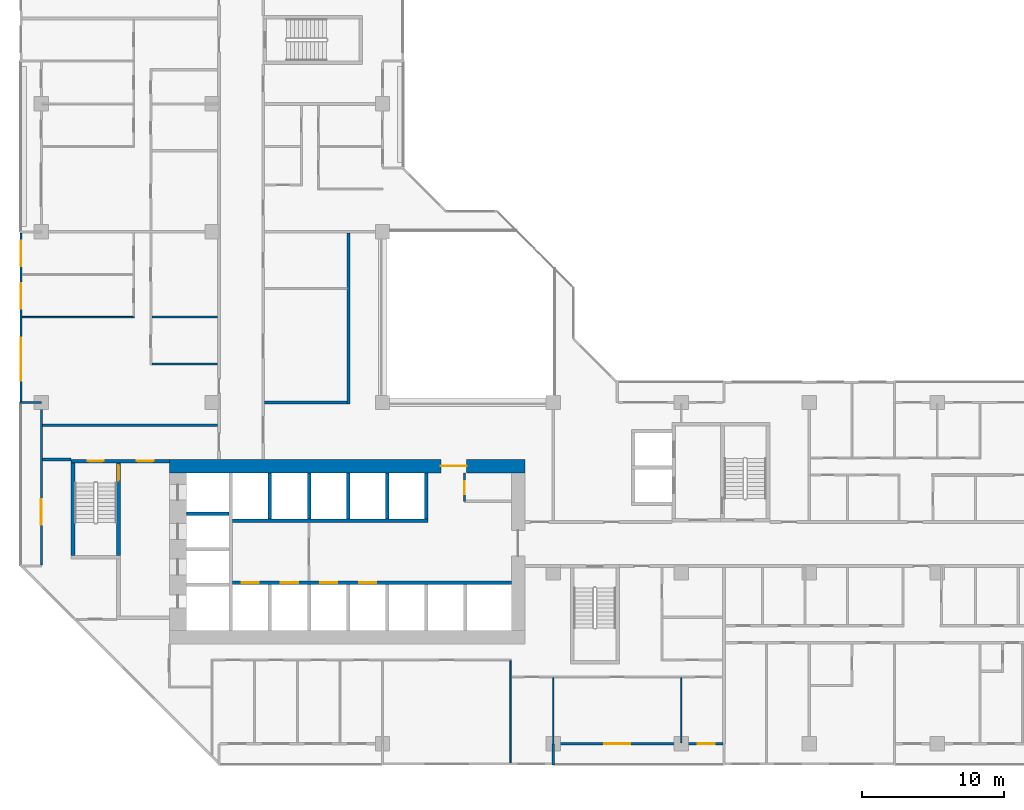
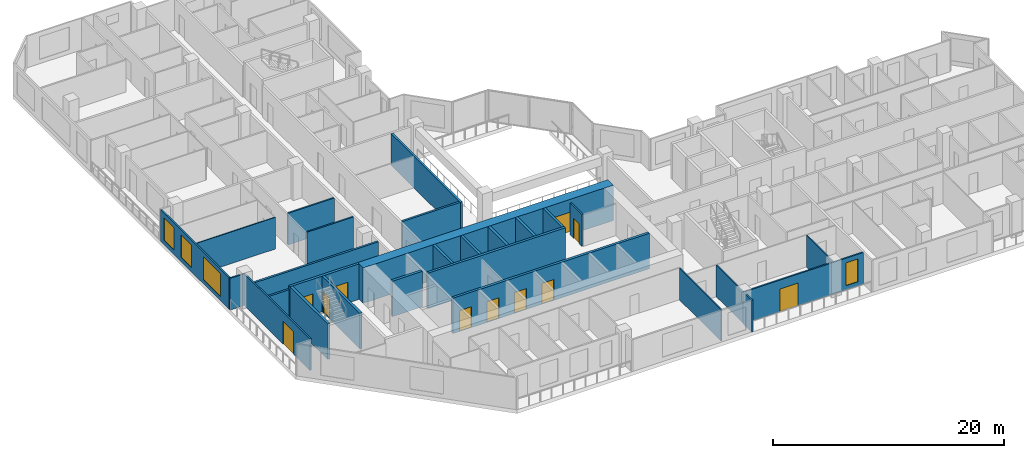
# One storey, part 5 of 15: 28 walls, 11 doors, 4 windows, 15 openings.
"""IFC4 building model written with IfcOpenShell, lengths in metres."""

from ifc_helpers import new_model, si_unit, direction, frame, frame_2d, origin, place, context, subcontext, project, spatial, rectangle, extrude, material, layer, layer_set, type_object, element, fill, save


model = new_model("IFC4")

# Units and contexts
model_context = context("Model", 3, precision=1e-05, world=origin(), true_north=direction((0.0, 1.0)))
body_context = subcontext(model_context, "Body", "Model", "MODEL_VIEW")
ifc_project = project(units=[si_unit("LENGTHUNIT", "METRE"), si_unit("AREAUNIT", "SQUARE_METRE"), si_unit("VOLUMEUNIT", "CUBIC_METRE"), si_unit("PLANEANGLEUNIT", "RADIAN"), si_unit("MASSUNIT", "GRAM", prefix="KILO")], contexts=[model_context])

# Site, building, storey
site_placement = place(None, origin())
site = spatial("IfcSite", under=ifc_project, at=site_placement, CompositionType="ELEMENT")
building_placement = place(site_placement, origin())
building = spatial("IfcBuilding", under=site, at=building_placement, Name="Chenar Terraces", CompositionType="ELEMENT")
storey_placement = place(building_placement, frame((0.0, 0.0, 118.14990234375)))
storey = spatial("IfcBuildingStorey", under=building, at=storey_placement, Name="L27", CompositionType="ELEMENT", Elevation=118.14990234375)

# Wall, opening, door
ifc_material_1 = material(Name="Gypsum board on steel studs", Category="steel")
ifc_layer_1 = layer(ifc_material_1, 0.14990234375)
ifc_layer_set_1 = layer_set([ifc_layer_1], Name="Gypsum board on steel studs")
wall_type_1 = type_object("IfcWallType", Name="Core partition 150 gypsum board", PredefinedType="PARTITIONING", material=ifc_layer_set_1)
wall_1_placement = place(storey_placement, frame((29.75, 17.050048828125, 0.0), z_axis=(0.0, 0.0, 1.0), x_axis=(0.0, 1.0, 0.0)))
wall_1 = element("IfcWall", 1, at=wall_1_placement, inside=storey, type_object=wall_type_1, Name="Core partition CP1 vestibule room west wall", PredefinedType="PARTITIONING", context=body_context, shape_type="SweptSolid", body=[
    extrude(rectangle(XDim=2.0, YDim=0.14990234375, at=frame_2d((1.0, 0.0))), origin(), (0.0, 0.0, 1.0), 3.35009765625),
])
opening_1_placement = place(wall_1_placement, frame((0.5, 0.0, 0.0)))
opening_1 = element("IfcOpeningElement", 2, at=opening_1_placement, cuts=wall_1, Name="Opening DL27-C13", PredefinedType="OPENING", context=body_context, shape_type="SweptSolid", body=[
    extrude(rectangle(XDim=0.89990234375, YDim=2.10009765625, at=frame_2d((0.449951171875, 1.050048828125))), frame((0.0, 0.0849609375, 0.0), z_axis=(0.0, -1.0, 0.0), x_axis=(1.0, 0.0, 0.0)), (0.0, 0.0, 1.0), 0.169921875),
])
ifc_material_2 = material(Name="Steel-framed fire-resisting door leaf", Category="steel")
door_type_1 = type_object("IfcDoorType", Name="Riser fire door FD60 900 x 2100", OperationType="SINGLE_SWING_LEFT", PredefinedType="DOOR", material=ifc_material_2)
door_1_placement = place(opening_1_placement, frame((0.89990234375, 0.0, 0.0), z_axis=(0.0, 0.0, 1.0), x_axis=(-1.0, 0.0, 0.0)))
door_1 = element("IfcDoor", 3, at=door_1_placement, inside=storey, type_object=door_type_1, Name="Core room door DL27-C13", OperationType="SINGLE_SWING_RIGHT", OverallHeight=2.10009765625, OverallWidth=0.89990234375, PredefinedType="DOOR", context=body_context, shape_type="SweptSolid", body=[
    extrude(rectangle(XDim=0.89990234375, YDim=2.10009765625, at=frame_2d((0.449951171875, 1.050048828125))), frame((0.0, 0.02490234375, 0.0), z_axis=(0.0, -1.0, 0.0), x_axis=(1.0, 0.0, 0.0)), (0.0, 0.0, 1.0), 0.050048828125),
])
fill(opening_1, door_1)

# Wall, openings, doors
ifc_material_3 = material(Name="Concrete C70/85", Category="concrete")
ifc_layer_2 = layer(ifc_material_3, 0.25)
ifc_layer_set_2 = layer_set([ifc_layer_2], Name="Concrete C70/85")
wall_type_2 = type_object("IfcWallType", Name="Core wall 250 Concrete C70/85", PredefinedType="SHEAR", material=ifc_layer_set_2)
wall_2_placement = place(storey_placement, frame((13.449951171875, 11.324951171875, 0.0), z_axis=(0.0, 0.0, 1.0), x_axis=(1.0, 0.0, 0.0)))
wall_2 = element("IfcWall", 4, at=wall_2_placement, inside=storey, type_object=wall_type_2, Name="Core wall SF L27", PredefinedType="SHEAR", context=body_context, shape_type="SweptSolid", body=[
    extrude(rectangle(XDim=19.60009765625, YDim=0.25, at=frame_2d((9.800048828125, 0.0))), origin(), (0.0, 0.0, 1.0), 3.75),
])
opening_2_placement = place(wall_2_placement, frame((0.64990234375, 0.0, 0.0)))
opening_2 = element("IfcOpeningElement", 5, at=opening_2_placement, cuts=wall_2, Name="Opening DL27-LD1", PredefinedType="OPENING", context=body_context, shape_type="SweptSolid", body=[
    extrude(rectangle(XDim=1.199951171875, YDim=2.199951171875, at=frame_2d((0.60009765625, 1.10009765625))), frame((0.0, 0.135009765625, 0.0), z_axis=(0.0, -1.0, 0.0), x_axis=(1.0, 0.0, 0.0)), (0.0, 0.0, 1.0), 0.27001953125),
])
opening_3_placement = place(wall_2_placement, frame((3.39990234375, 0.0, 0.0)))
opening_3 = element("IfcOpeningElement", 6, at=opening_3_placement, cuts=wall_2, Name="Opening DL27-LD2", PredefinedType="OPENING", context=body_context, shape_type="SweptSolid", body=[
    extrude(rectangle(XDim=1.199951171875, YDim=2.199951171875, at=frame_2d((0.60009765625, 1.10009765625))), frame((0.0, 0.135009765625, 0.0), z_axis=(0.0, -1.0, 0.0), x_axis=(1.0, 0.0, 0.0)), (0.0, 0.0, 1.0), 0.27001953125),
])
opening_4_placement = place(wall_2_placement, frame((6.14990234375, 0.0, 0.0)))
opening_4 = element("IfcOpeningElement", 7, at=opening_4_placement, cuts=wall_2, Name="Opening DL27-LD3", PredefinedType="OPENING", context=body_context, shape_type="SweptSolid", body=[
    extrude(rectangle(XDim=1.199951171875, YDim=2.199951171875, at=frame_2d((0.60009765625, 1.10009765625))), frame((0.0, 0.135009765625, 0.0), z_axis=(0.0, -1.0, 0.0), x_axis=(1.0, 0.0, 0.0)), (0.0, 0.0, 1.0), 0.27001953125),
])
opening_5_placement = place(wall_2_placement, frame((8.89990234375, 0.0, 0.0)))
opening_5 = element("IfcOpeningElement", 8, at=opening_5_placement, cuts=wall_2, Name="Opening DL27-LD4", PredefinedType="OPENING", context=body_context, shape_type="SweptSolid", body=[
    extrude(rectangle(XDim=1.199951171875, YDim=2.199951171875, at=frame_2d((0.60009765625, 1.10009765625))), frame((0.0, 0.135009765625, 0.0), z_axis=(0.0, -1.0, 0.0), x_axis=(1.0, 0.0, 0.0)), (0.0, 0.0, 1.0), 0.27001953125),
])
ifc_material_4 = material(Name="Stainless steel", Category="steel")
door_type_2 = type_object("IfcDoorType", Name="Lift landing door 1200 x 2200 sliding", OperationType="DOUBLE_DOOR_SLIDING", PredefinedType="DOOR", material=ifc_material_4)
door_2_placement = place(opening_2_placement, origin())
door_2 = element("IfcDoor", 9, at=door_2_placement, inside=storey, type_object=door_type_2, Name="Landing door L1", OperationType="DOUBLE_DOOR_SLIDING", OverallHeight=2.199951171875, OverallWidth=1.199951171875, PredefinedType="DOOR", context=body_context, shape_type="SweptSolid", body=[
    extrude(rectangle(XDim=1.199951171875, YDim=2.199951171875, at=frame_2d((0.60009765625, 1.10009765625))), frame((0.0, 0.02490234375, 0.0), z_axis=(0.0, -1.0, 0.0), x_axis=(1.0, 0.0, 0.0)), (0.0, 0.0, 1.0), 0.050048828125),
])
fill(opening_2, door_2)
door_3_placement = place(opening_3_placement, origin())
door_3 = element("IfcDoor", 10, at=door_3_placement, inside=storey, type_object=door_type_2, Name="Landing door L2", OperationType="DOUBLE_DOOR_SLIDING", OverallHeight=2.199951171875, OverallWidth=1.199951171875, PredefinedType="DOOR", context=body_context, shape_type="SweptSolid", body=[
    extrude(rectangle(XDim=1.199951171875, YDim=2.199951171875, at=frame_2d((0.60009765625, 1.10009765625))), frame((0.0, 0.02490234375, 0.0), z_axis=(0.0, -1.0, 0.0), x_axis=(1.0, 0.0, 0.0)), (0.0, 0.0, 1.0), 0.050048828125),
])
fill(opening_3, door_3)
door_4_placement = place(opening_4_placement, origin())
door_4 = element("IfcDoor", 11, at=door_4_placement, inside=storey, type_object=door_type_2, Name="Landing door L3", OperationType="DOUBLE_DOOR_SLIDING", OverallHeight=2.199951171875, OverallWidth=1.199951171875, PredefinedType="DOOR", context=body_context, shape_type="SweptSolid", body=[
    extrude(rectangle(XDim=1.199951171875, YDim=2.199951171875, at=frame_2d((0.60009765625, 1.10009765625))), frame((0.0, 0.02490234375, 0.0), z_axis=(0.0, -1.0, 0.0), x_axis=(1.0, 0.0, 0.0)), (0.0, 0.0, 1.0), 0.050048828125),
])
fill(opening_4, door_4)
door_5_placement = place(opening_5_placement, origin())
door_5 = element("IfcDoor", 12, at=door_5_placement, inside=storey, type_object=door_type_2, Name="Landing door L4", OperationType="DOUBLE_DOOR_SLIDING", OverallHeight=2.199951171875, OverallWidth=1.199951171875, PredefinedType="DOOR", context=body_context, shape_type="SweptSolid", body=[
    extrude(rectangle(XDim=1.199951171875, YDim=2.199951171875, at=frame_2d((0.60009765625, 1.10009765625))), frame((0.0, 0.02490234375, 0.0), z_axis=(0.0, -1.0, 0.0), x_axis=(1.0, 0.0, 0.0)), (0.0, 0.0, 1.0), 0.050048828125),
])
fill(opening_5, door_5)

# Walls
wall_3_placement = place(storey_placement, frame((13.449951171875, 15.675048828125, 0.0), z_axis=(0.0, 0.0, 1.0), x_axis=(1.0, 0.0, 0.0)))
element("IfcWall", 13, at=wall_3_placement, inside=storey, type_object=wall_type_2, Name="Core wall NF L27", PredefinedType="SHEAR", context=body_context, shape_type="SweptSolid", body=[
    extrude(rectangle(XDim=13.75, YDim=0.25, at=frame_2d((6.875, 0.0))), origin(), (0.0, 0.0, 1.0), 3.75),
])
wall_4_placement = place(storey_placement, frame((10.199951171875, 16.175048828125, 0.0), z_axis=(0.0, 0.0, 1.0), x_axis=(1.0, 0.0, 0.0)))
element("IfcWall", 14, at=wall_4_placement, inside=storey, type_object=wall_type_2, Name="Core wall HW2 L27", PredefinedType="SHEAR", context=body_context, shape_type="SweptSolid", body=[
    extrude(rectangle(XDim=3.0, YDim=0.25, at=frame_2d((1.5, 0.0))), origin(), (0.0, 0.0, 1.0), 3.75),
])
for number, where, z_axis, x_axis, name in (
    (15, (16.074951171875, 15.800048828125, 0.0), (0.0, 0.0, 1.0), (0.0, 1.0, 0.0), "Core wall NS0 L27"),
    (16, (18.824951171875, 15.800048828125, 0.0), (0.0, 0.0, 1.0), (0.0, 1.0, 0.0), "Core wall NS1 L27"),
    (17, (21.574951171875, 15.800048828125, 0.0), (0.0, 0.0, 1.0), (0.0, 1.0, 0.0), "Core wall NS2 L27"),
    (18, (24.324951171875, 15.800048828125, 0.0), (0.0, 0.0, 1.0), (0.0, 1.0, 0.0), "Core wall NS3 L27"),
    (19, (27.074951171875, 15.800048828125, 0.0), (0.0, 0.0, 1.0), (0.0, 1.0, 0.0), "Core wall NE L27"),
):
    element("IfcWall", number, at=place(storey_placement, frame(where, z_axis=z_axis, x_axis=x_axis)), inside=storey, type_object=wall_type_2, Name=name, PredefinedType="SHEAR", context=body_context, shape_type="SweptSolid", body=[
        extrude(rectangle(XDim=3.25, YDim=0.25, at=frame_2d((1.625, 0.0))), origin(), (0.0, 0.0, 1.0), 3.75),
    ])

# Wall, openings, doors
wall_5_placement = place(storey_placement, frame((2.10009765625, 19.875, 0.0), z_axis=(0.0, 0.0, 1.0), x_axis=(1.0, 0.0, 0.0)))
wall_5 = element("IfcWall", 20, at=wall_5_placement, inside=storey, type_object=wall_type_2, Name="Core wall A_N L27", PredefinedType="SHEAR", context=body_context, shape_type="SweptSolid", body=[
    extrude(rectangle(XDim=6.89990234375, YDim=0.25, at=frame_2d((3.449951171875, 0.0))), origin(), (0.0, 0.0, 1.0), 3.75),
])
opening_6_placement = place(wall_5_placement, frame((1.175048828125, 0.0, 0.0)))
opening_6 = element("IfcOpeningElement", 21, at=opening_6_placement, cuts=wall_5, Name="Opening DL27-C5", PredefinedType="OPENING", context=body_context, shape_type="SweptSolid", body=[
    extrude(rectangle(XDim=1.10009765625, YDim=2.199951171875, at=frame_2d((0.550048828125, 1.10009765625))), frame((0.0, 0.135009765625, 0.0), z_axis=(0.0, -1.0, 0.0), x_axis=(1.0, 0.0, 0.0)), (0.0, 0.0, 1.0), 0.27001953125),
])
opening_7_placement = place(wall_5_placement, frame((4.60009765625, 0.0, 0.0)))
opening_7 = element("IfcOpeningElement", 22, at=opening_7_placement, cuts=wall_5, Name="Opening DL27-C6", PredefinedType="OPENING", context=body_context, shape_type="SweptSolid", body=[
    extrude(rectangle(XDim=1.199951171875, YDim=2.199951171875, at=frame_2d((0.60009765625, 1.10009765625))), frame((0.0, 0.135009765625, 0.0), z_axis=(0.0, -1.0, 0.0), x_axis=(1.0, 0.0, 0.0)), (0.0, 0.0, 1.0), 0.27001953125),
])
ifc_material_5 = material(Name="Steel-framed fire-resisting door leaf", Category="steel")
door_type_3 = type_object("IfcDoorType", Name="Lobby fire door FD60 1200 x 2200", OperationType="SINGLE_SWING_LEFT", PredefinedType="DOOR", material=ifc_material_5)
door_6_placement = place(opening_7_placement, frame((1.199951171875, 0.0, 0.0), z_axis=(0.0, 0.0, 1.0), x_axis=(-1.0, 0.0, 0.0)))
door_6 = element("IfcDoor", 23, at=door_6_placement, inside=storey, type_object=door_type_3, Name="Core door DL27-C6", OperationType="SINGLE_SWING_LEFT", OverallHeight=2.199951171875, OverallWidth=1.199951171875, PredefinedType="DOOR", context=body_context, shape_type="SweptSolid", body=[
    extrude(rectangle(XDim=1.199951171875, YDim=2.199951171875, at=frame_2d((0.60009765625, 1.10009765625))), frame((0.0, 0.02490234375, 0.0), z_axis=(0.0, -1.0, 0.0), x_axis=(1.0, 0.0, 0.0)), (0.0, 0.0, 1.0), 0.050048828125),
])
fill(opening_7, door_6)
ifc_material_6 = material(Name="Steel-framed fire-resisting door leaf", Category="steel")
door_type_4 = type_object("IfcDoorType", Name="Stair fire door FD60 1100 x 2200", OperationType="SINGLE_SWING_LEFT", PredefinedType="DOOR", material=ifc_material_6)
door_7_placement = place(opening_6_placement, origin())
door_7 = element("IfcDoor", 24, at=door_7_placement, inside=storey, type_object=door_type_4, Name="Stair door DL27-C5", OperationType="SINGLE_SWING_LEFT", OverallHeight=2.199951171875, OverallWidth=1.10009765625, PredefinedType="DOOR", context=body_context, shape_type="SweptSolid", body=[
    extrude(rectangle(XDim=1.10009765625, YDim=2.199951171875, at=frame_2d((0.550048828125, 1.10009765625))), frame((0.0, 0.02490234375, 0.0), z_axis=(0.0, -1.0, 0.0), x_axis=(1.0, 0.0, 0.0)), (0.0, 0.0, 1.0), 0.050048828125),
])
fill(opening_6, door_7)

# Wall
wall_6_placement = place(storey_placement, frame((2.22509765625, 13.25, 0.0), z_axis=(0.0, 0.0, 1.0), x_axis=(0.0, 1.0, 0.0)))
element("IfcWall", 25, at=wall_6_placement, inside=storey, type_object=wall_type_2, Name="Core wall ST1_W L27", PredefinedType="SHEAR", context=body_context, shape_type="SweptSolid", body=[
    extrude(rectangle(XDim=6.5, YDim=0.25, at=frame_2d((3.25, 0.0))), origin(), (0.0, 0.0, 1.0), 3.75),
])

# Wall, opening, door
wall_7_placement = place(storey_placement, frame((5.425048828125, 13.25, 0.0), z_axis=(0.0, 0.0, 1.0), x_axis=(0.0, 1.0, 0.0)))
wall_7 = element("IfcWall", 26, at=wall_7_placement, inside=storey, type_object=wall_type_2, Name="Core wall ST1_E L27", PredefinedType="SHEAR", context=body_context, shape_type="SweptSolid", body=[
    extrude(rectangle(XDim=6.5, YDim=0.25, at=frame_2d((3.25, 0.0))), origin(), (0.0, 0.0, 1.0), 3.75),
])
opening_8_placement = place(wall_7_placement, frame((5.25, 0.0, 0.0)))
opening_8 = element("IfcOpeningElement", 27, at=opening_8_placement, cuts=wall_7, Name="Opening DL27-C3", PredefinedType="OPENING", context=body_context, shape_type="SweptSolid", body=[
    extrude(rectangle(XDim=1.10009765625, YDim=2.199951171875, at=frame_2d((0.550048828125, 1.10009765625))), frame((0.0, 0.135009765625, 0.0), z_axis=(0.0, -1.0, 0.0), x_axis=(1.0, 0.0, 0.0)), (0.0, 0.0, 1.0), 0.27001953125),
])
door_8_placement = place(opening_8_placement, origin())
door_8 = element("IfcDoor", 28, at=door_8_placement, inside=storey, type_object=door_type_4, Name="Stair door DL27-C3", OperationType="SINGLE_SWING_RIGHT", OverallHeight=2.199951171875, OverallWidth=1.10009765625, PredefinedType="DOOR", context=body_context, shape_type="SweptSolid", body=[
    extrude(rectangle(XDim=1.10009765625, YDim=2.199951171875, at=frame_2d((0.550048828125, 1.10009765625))), frame((0.0, 0.02490234375, 0.0), z_axis=(0.0, -1.0, 0.0), x_axis=(1.0, 0.0, 0.0)), (0.0, 0.0, 1.0), 0.050048828125),
])
fill(opening_8, door_8)

ifc_material_7 = material(Name="Concrete C70/85", Category="concrete")
ifc_layer_3 = layer(ifc_material_7, 0.949951171875)
ifc_layer_set_3 = layer_set([ifc_layer_3], Name="Concrete C70/85")
wall_type_3 = type_object("IfcWallType", Name="Core wall 950 Concrete C70/85", PredefinedType="SHEAR", material=ifc_layer_set_3)
wall_8_placement = place(storey_placement, frame((9.0, 19.52490234375, 0.0), z_axis=(0.0, 0.0, 1.0), x_axis=(1.0, 0.0, 0.0)))
wall_8 = element("IfcWall", 29, at=wall_8_placement, inside=storey, type_object=wall_type_3, Name="Core wall N L27", PredefinedType="SHEAR", context=body_context, shape_type="SweptSolid", body=[
    extrude(rectangle(XDim=25.0, YDim=0.949951171875, at=frame_2d((12.5, 0.0))), origin(), (0.0, 0.0, 1.0), 3.75),
])
opening_9_placement = place(wall_8_placement, frame((19.10009765625, 0.0, 0.0)))
opening_9 = element("IfcOpeningElement", 30, at=opening_9_placement, cuts=wall_8, Name="Opening DL27-C2", PredefinedType="OPENING", context=body_context, shape_type="SweptSolid", body=[
    extrude(rectangle(XDim=1.800048828125, YDim=2.39990234375, at=frame_2d((0.89990234375, 1.199951171875))), frame((0.0, 0.48486328125, 0.0), z_axis=(0.0, -1.0, 0.0), x_axis=(1.0, 0.0, 0.0)), (0.0, 0.0, 1.0), 0.969970703125),
])
ifc_material_8 = material(Name="Steel-framed fire-resisting door leaf", Category="steel")
door_type_5 = type_object("IfcDoorType", Name="Core entrance double fire door FD60 1800 x 2400", OperationType="DOUBLE_DOOR_SINGLE_SWING", PredefinedType="DOOR", material=ifc_material_8)
door_9_placement = place(opening_9_placement, origin())
door_9 = element("IfcDoor", 31, at=door_9_placement, inside=storey, type_object=door_type_5, Name="Core door DL27-C2", OperationType="DOUBLE_DOOR_SINGLE_SWING", OverallHeight=2.39990234375, OverallWidth=1.800048828125, PredefinedType="DOOR", context=body_context, shape_type="SweptSolid", body=[
    extrude(rectangle(XDim=1.800048828125, YDim=2.39990234375, at=frame_2d((0.89990234375, 1.199951171875))), frame((0.0, 0.02490234375, 0.0), z_axis=(0.0, -1.0, 0.0), x_axis=(1.0, 0.0, 0.0)), (0.0, 0.0, 1.0), 0.050048828125),
])
fill(opening_9, door_9)

# Walls
ifc_material_9 = material(Name="Gypsum board on steel studs with fire boards", Category="steel")
ifc_layer_4 = layer(ifc_material_9, 0.199951171875)
ifc_layer_set_4 = layer_set([ifc_layer_4], Name="Gypsum board on steel studs with fire boards")
wall_type_4 = type_object("IfcWallType", Name="Corridor wall 200", PredefinedType="PARTITIONING", material=ifc_layer_set_4)
wall_9_placement = place(storey_placement, frame((0.073974609375, 20.0, 0.0), z_axis=(0.0, 0.0, 1.0), x_axis=(1.0, 0.0, 0.0)))
element("IfcWall", 32, at=wall_9_placement, inside=storey, type_object=wall_type_4, Name="Partition L27-007", PredefinedType="PARTITIONING", context=body_context, shape_type="SweptSolid", body=[
    extrude(rectangle(XDim=2.026123046875, YDim=0.199951171875, at=frame_2d((1.01318359375, 0.0))), origin(), (0.0, 0.0, 1.0), 3.35009765625),
])
wall_10_placement = place(storey_placement, frame((0.073974609375, 22.39990234375, 0.0), z_axis=(0.0, 0.0, 1.0), x_axis=(1.0, 0.0, 0.0)))
element("IfcWall", 33, at=wall_10_placement, inside=storey, type_object=wall_type_4, Name="Partition L27-008", PredefinedType="PARTITIONING", context=body_context, shape_type="SweptSolid", body=[
    extrude(rectangle(XDim=12.325927734375, YDim=0.199951171875, at=frame_2d((6.1630859375, 0.0))), origin(), (0.0, 0.0, 1.0), 3.35009765625),
])
wall_11_placement = place(storey_placement, frame((15.699951171875, 24.0, 0.0), z_axis=(0.0, 0.0, 1.0), x_axis=(1.0, 0.0, 0.0)))
element("IfcWall", 34, at=wall_11_placement, inside=storey, type_object=wall_type_4, Name="Partition L27-036", PredefinedType="PARTITIONING", context=body_context, shape_type="SweptSolid", body=[
    extrude(rectangle(XDim=5.800048828125, YDim=0.199951171875, at=frame_2d((2.89990234375, 0.0))), origin(), (0.0, 0.0, 1.0), 3.35009765625),
])
wall_12_placement = place(storey_placement, frame((21.60009765625, 23.89990234375, 0.0), z_axis=(0.0, 0.0, 1.0), x_axis=(0.0, 1.0, 0.0)))
element("IfcWall", 35, at=wall_12_placement, inside=storey, type_object=wall_type_4, Name="Partition L27-056", PredefinedType="PARTITIONING", context=body_context, shape_type="SweptSolid", body=[
    extrude(rectangle(XDim=12.0, YDim=0.199951171875, at=frame_2d((6.0, 0.0))), origin(), (0.0, 0.0, 1.0), 3.35009765625),
])

# Wall, openings, windows
ifc_material_10 = material(Name="Aluminium framed glazing", Category="aluminium")
ifc_layer_5 = layer(ifc_material_10, 0.14990234375)
ifc_layer_set_5 = layer_set([ifc_layer_5], Name="Aluminium framed glazing")
wall_type_5 = type_object("IfcWallType", Name="Glazed flush facade wall 150", PredefinedType="SOLIDWALL", material=ifc_layer_set_5)
wall_13_placement = place(storey_placement, frame((-1.425048828125, 35.925048828125, 0.0), z_axis=(0.0, 0.0, 1.0), x_axis=(0.0, -1.0, 0.0)))
wall_13 = element("IfcWall", 36, at=wall_13_placement, inside=storey, type_object=wall_type_5, Name="Glazed flush facade wall", PredefinedType="SOLIDWALL", context=body_context, shape_type="SweptSolid", body=[
    extrude(rectangle(XDim=11.85009765625, YDim=0.14990234375, at=frame_2d((5.925048828125, 0.0))), origin(), (0.0, 0.0, 1.0), 3.35009765625),
])
opening_10_placement = place(wall_13_placement, frame((0.5625, 0.0, 0.449951171875)))
opening_10 = element("IfcOpeningElement", 37, at=opening_10_placement, cuts=wall_13, Name="Opening W180x240", PredefinedType="OPENING", context=body_context, shape_type="SweptSolid", body=[
    extrude(rectangle(XDim=1.800048828125, YDim=2.39990234375, at=frame_2d((0.89990234375, 1.199951171875))), frame((0.0, 0.0849609375, 0.0), z_axis=(0.0, -1.0, 0.0), x_axis=(1.0, 0.0, 0.0)), (0.0, 0.0, 1.0), 0.169921875),
])
opening_11_placement = place(wall_13_placement, frame((3.52490234375, 0.0, 0.449951171875)))
opening_11 = element("IfcOpeningElement", 38, at=opening_11_placement, cuts=wall_13, Name="Opening W180x240", PredefinedType="OPENING", context=body_context, shape_type="SweptSolid", body=[
    extrude(rectangle(XDim=1.800048828125, YDim=2.39990234375, at=frame_2d((0.89990234375, 1.199951171875))), frame((0.0, 0.0849609375, 0.0), z_axis=(0.0, -1.0, 0.0), x_axis=(1.0, 0.0, 0.0)), (0.0, 0.0, 1.0), 0.169921875),
])
opening_12_placement = place(wall_13_placement, frame((7.387451171875, 0.0, 0.449951171875)))
opening_12 = element("IfcOpeningElement", 39, at=opening_12_placement, cuts=wall_13, Name="Opening W300x240", PredefinedType="OPENING", context=body_context, shape_type="SweptSolid", body=[
    extrude(rectangle(XDim=3.0, YDim=2.39990234375, at=frame_2d((1.5, 1.199951171875))), frame((0.0, 0.0849609375, 0.0), z_axis=(0.0, -1.0, 0.0), x_axis=(1.0, 0.0, 0.0)), (0.0, 0.0, 1.0), 0.169921875),
])
ifc_material_11 = material(Name="Low emissivity double glazing, aluminium frame", Category="aluminium")
window_type_1 = type_object("IfcWindowType", Name="Fixed light 1800 x 2400", PartitioningType="SINGLE_PANEL", PredefinedType="WINDOW", material=ifc_material_11)
window_1_placement = place(opening_10_placement, origin())
window_1 = element("IfcWindow", 40, at=window_1_placement, inside=storey, type_object=window_type_1, Name="Window", OverallHeight=2.39990234375, OverallWidth=1.800048828125, PartitioningType="SINGLE_PANEL", PredefinedType="WINDOW", context=body_context, shape_type="SweptSolid", body=[
    extrude(rectangle(XDim=1.800048828125, YDim=2.39990234375, at=frame_2d((0.89990234375, 1.199951171875))), frame((0.0, 0.030029296875, 0.0), z_axis=(0.0, -1.0, 0.0), x_axis=(1.0, 0.0, 0.0)), (0.0, 0.0, 1.0), 0.06005859375),
])
fill(opening_10, window_1)
window_2_placement = place(opening_11_placement, origin())
window_2 = element("IfcWindow", 41, at=window_2_placement, inside=storey, type_object=window_type_1, Name="Window", OverallHeight=2.39990234375, OverallWidth=1.800048828125, PartitioningType="SINGLE_PANEL", PredefinedType="WINDOW", context=body_context, shape_type="SweptSolid", body=[
    extrude(rectangle(XDim=1.800048828125, YDim=2.39990234375, at=frame_2d((0.89990234375, 1.199951171875))), frame((0.0, 0.030029296875, 0.0), z_axis=(0.0, -1.0, 0.0), x_axis=(1.0, 0.0, 0.0)), (0.0, 0.0, 1.0), 0.06005859375),
])
fill(opening_11, window_2)
ifc_material_12 = material(Name="Low emissivity double glazing, aluminium frame", Category="aluminium")
window_type_2 = type_object("IfcWindowType", Name="Fixed light 3000 x 2400", PartitioningType="SINGLE_PANEL", PredefinedType="WINDOW", material=ifc_material_12)
window_3_placement = place(opening_12_placement, origin())
window_3 = element("IfcWindow", 42, at=window_3_placement, inside=storey, type_object=window_type_2, Name="Window", OverallHeight=2.39990234375, OverallWidth=3.0, PartitioningType="SINGLE_PANEL", PredefinedType="WINDOW", context=body_context, shape_type="SweptSolid", body=[
    extrude(rectangle(XDim=3.0, YDim=2.39990234375, at=frame_2d((1.5, 1.199951171875))), frame((0.0, 0.030029296875, 0.0), z_axis=(0.0, -1.0, 0.0), x_axis=(1.0, 0.0, 0.0)), (0.0, 0.0, 1.0), 0.06005859375),
])
fill(opening_12, window_3)

# Wall, opening, door
ifc_material_13 = material(Name="Aluminium framed glazing", Category="aluminium")
ifc_layer_6 = layer(ifc_material_13, 0.14990234375)
ifc_layer_set_6 = layer_set([ifc_layer_6], Name="Aluminium framed glazing")
wall_type_6 = type_object("IfcWallType", Name="Glazed loggia back wall 150", PredefinedType="SOLIDWALL", material=ifc_layer_set_6)
wall_14_placement = place(storey_placement, frame((0.0, 23.925048828125, 0.0), z_axis=(0.0, 0.0, 1.0), x_axis=(0.0, -1.0, 0.0)))
wall_14 = element("IfcWall", 43, at=wall_14_placement, inside=storey, type_object=wall_type_6, Name="Glazed loggia back wall", PredefinedType="SOLIDWALL", context=body_context, shape_type="SweptSolid", body=[
    extrude(rectangle(XDim=11.35009765625, YDim=0.14990234375, at=frame_2d((5.675048828125, 0.0))), origin(), (0.0, 0.0, 1.0), 3.35009765625),
])
opening_13_placement = place(wall_14_placement, frame((6.737548828125, 0.0, 0.0)))
opening_13 = element("IfcOpeningElement", 44, at=opening_13_placement, cuts=wall_14, Name="Opening DL27-G5", PredefinedType="OPENING", context=body_context, shape_type="SweptSolid", body=[
    extrude(rectangle(XDim=1.800048828125, YDim=2.39990234375, at=frame_2d((0.89990234375, 1.199951171875))), frame((0.0, 0.0849609375, 0.0), z_axis=(0.0, -1.0, 0.0), x_axis=(1.0, 0.0, 0.0)), (0.0, 0.0, 1.0), 0.169921875),
])
ifc_material_14 = material(Name="Low emissivity double glazing, aluminium frame", Category="aluminium")
door_type_6 = type_object("IfcDoorType", Name="Loggia glazed double door 1800 x 2400", OperationType="DOUBLE_DOOR_SINGLE_SWING", PredefinedType="DOOR", material=ifc_material_14)
door_10_placement = place(opening_13_placement, frame((1.800048828125, 0.0, 0.0), z_axis=(0.0, 0.0, 1.0), x_axis=(-1.0, 0.0, 0.0)))
door_10 = element("IfcDoor", 45, at=door_10_placement, inside=storey, type_object=door_type_6, Name="Loggia glazed door", OperationType="DOUBLE_DOOR_SINGLE_SWING", OverallHeight=2.39990234375, OverallWidth=1.800048828125, PredefinedType="DOOR", context=body_context, shape_type="SweptSolid", body=[
    extrude(rectangle(XDim=1.800048828125, YDim=2.39990234375, at=frame_2d((0.89990234375, 1.199951171875))), frame((0.0, 0.02490234375, 0.0), z_axis=(0.0, -1.0, 0.0), x_axis=(1.0, 0.0, 0.0)), (0.0, 0.0, 1.0), 0.050048828125),
])
fill(opening_13, door_10)

# Wall, openings, window, door
wall_15_placement = place(storey_placement, frame((36.074951171875, 0.0, 0.0), z_axis=(0.0, 0.0, 1.0), x_axis=(1.0, 0.0, 0.0)))
wall_15 = element("IfcWall", 46, at=wall_15_placement, inside=storey, type_object=wall_type_6, Name="Glazed loggia back wall", PredefinedType="SOLIDWALL", context=body_context, shape_type="SweptSolid", body=[
    extrude(rectangle(XDim=11.85009765625, YDim=0.14990234375, at=frame_2d((5.925048828125, 0.0))), origin(), (0.0, 0.0, 1.0), 3.35009765625),
])
opening_14_placement = place(wall_15_placement, frame((3.52490234375, 0.0, 0.0)))
opening_14 = element("IfcOpeningElement", 47, at=opening_14_placement, cuts=wall_15, Name="Opening DL27-G7", PredefinedType="OPENING", context=body_context, shape_type="SweptSolid", body=[
    extrude(rectangle(XDim=1.800048828125, YDim=2.39990234375, at=frame_2d((0.89990234375, 1.199951171875))), frame((0.0, 0.0849609375, 0.0), z_axis=(0.0, -1.0, 0.0), x_axis=(1.0, 0.0, 0.0)), (0.0, 0.0, 1.0), 0.169921875),
])
opening_15_placement = place(wall_15_placement, frame((10.08740234375, 0.0, 0.449951171875)))
opening_15 = element("IfcOpeningElement", 48, at=opening_15_placement, cuts=wall_15, Name="Opening W120x240", PredefinedType="OPENING", context=body_context, shape_type="SweptSolid", body=[
    extrude(rectangle(XDim=1.199951171875, YDim=2.39990234375, at=frame_2d((0.60009765625, 1.199951171875))), frame((0.0, 0.0849609375, 0.0), z_axis=(0.0, -1.0, 0.0), x_axis=(1.0, 0.0, 0.0)), (0.0, 0.0, 1.0), 0.169921875),
])
ifc_material_15 = material(Name="Low emissivity double glazing, aluminium frame", Category="aluminium")
window_type_3 = type_object("IfcWindowType", Name="Fixed light 1200 x 2400", PartitioningType="SINGLE_PANEL", PredefinedType="WINDOW", material=ifc_material_15)
window_4_placement = place(opening_15_placement, origin())
window_4 = element("IfcWindow", 49, at=window_4_placement, inside=storey, type_object=window_type_3, Name="Window", OverallHeight=2.39990234375, OverallWidth=1.199951171875, PartitioningType="SINGLE_PANEL", PredefinedType="WINDOW", context=body_context, shape_type="SweptSolid", body=[
    extrude(rectangle(XDim=1.199951171875, YDim=2.39990234375, at=frame_2d((0.60009765625, 1.199951171875))), frame((0.0, 0.030029296875, 0.0), z_axis=(0.0, -1.0, 0.0), x_axis=(1.0, 0.0, 0.0)), (0.0, 0.0, 1.0), 0.06005859375),
])
fill(opening_15, window_4)
door_11_placement = place(opening_14_placement, frame((1.800048828125, 0.0, 0.0), z_axis=(0.0, 0.0, 1.0), x_axis=(-1.0, 0.0, 0.0)))
door_11 = element("IfcDoor", 50, at=door_11_placement, inside=storey, type_object=door_type_6, Name="Loggia glazed door", OperationType="DOUBLE_DOOR_SINGLE_SWING", OverallHeight=2.39990234375, OverallWidth=1.800048828125, PredefinedType="DOOR", context=body_context, shape_type="SweptSolid", body=[
    extrude(rectangle(XDim=1.800048828125, YDim=2.39990234375, at=frame_2d((0.89990234375, 1.199951171875))), frame((0.0, 0.02490234375, 0.0), z_axis=(0.0, -1.0, 0.0), x_axis=(1.0, 0.0, 0.0)), (0.0, 0.0, 1.0), 0.050048828125),
])
fill(opening_14, door_11)

# Walls
ifc_material_16 = material(Name="Gypsum board on steel studs", Category="steel")
ifc_layer_7 = layer(ifc_material_16, 0.10009765625)
ifc_layer_set_7 = layer_set([ifc_layer_7], Name="Gypsum board on steel studs")
wall_type_7 = type_object("IfcWallType", Name="Gypsum partition 100", PredefinedType="PARTITIONING", material=ifc_layer_set_7)
wall_16_placement = place(storey_placement, frame((-1.35009765625, 30.0, 0.0), z_axis=(0.0, 0.0, 1.0), x_axis=(1.0, 0.0, 0.0)))
element("IfcWall", 51, at=wall_16_placement, inside=storey, type_object=wall_type_7, Name="Partition L27-002", PredefinedType="PARTITIONING", context=body_context, shape_type="SweptSolid", body=[
    extrude(rectangle(XDim=7.900146484375, YDim=0.10009765625, at=frame_2d((3.9501953125, 0.0))), origin(), (0.0, 0.0, 1.0), 3.35009765625),
])
wall_17_placement = place(storey_placement, frame((33.0, -1.35009765625, 0.0), z_axis=(0.0, 0.0, 1.0), x_axis=(0.0, 1.0, 0.0)))
element("IfcWall", 52, at=wall_17_placement, inside=storey, type_object=wall_type_7, Name="Partition L27-058", PredefinedType="PARTITIONING", context=body_context, shape_type="SweptSolid", body=[
    extrude(rectangle(XDim=7.2001953125, YDim=0.10009765625, at=frame_2d((3.60009765625, 0.0))), origin(), (0.0, 0.0, 1.0), 3.35009765625),
])
wall_18_placement = place(storey_placement, frame((36.0, 0.0, 0.0), z_axis=(0.0, 0.0, 1.0), x_axis=(0.0, 1.0, 0.0)))
element("IfcWall", 53, at=wall_18_placement, inside=storey, type_object=wall_type_7, Name="Partition L27-062", PredefinedType="PARTITIONING", context=body_context, shape_type="SweptSolid", body=[
    extrude(rectangle(XDim=4.64990234375, YDim=0.10009765625, at=frame_2d((2.324951171875, 0.0))), origin(), (0.0, 0.0, 1.0), 3.35009765625),
])
wall_19_placement = place(storey_placement, frame((45.0, 0.073974609375, 0.0), z_axis=(0.0, 0.0, 1.0), x_axis=(0.0, 1.0, 0.0)))
element("IfcWall", 54, at=wall_19_placement, inside=storey, type_object=wall_type_7, Name="Partition L27-068", PredefinedType="PARTITIONING", context=body_context, shape_type="SweptSolid", body=[
    extrude(rectangle(XDim=4.575927734375, YDim=0.10009765625, at=frame_2d((2.2880859375, 0.0))), origin(), (0.0, 0.0, 1.0), 3.35009765625),
])
ifc_material_17 = material(Name="Terracotta cladding on insulated backing", Category="masonry")
ifc_layer_8 = layer(ifc_material_17, 0.14990234375)
ifc_layer_set_8 = layer_set([ifc_layer_8], Name="Terracotta cladding on insulated backing")
wall_type_8 = type_object("IfcWallType", Name="Loggia return wall 150", PredefinedType="SOLIDWALL", material=ifc_layer_set_8)
for number, where, z_axis, x_axis, name in (
    (55, (-1.5, 24.0, 0.0), (0.0, 0.0, 1.0), (1.0, 0.0, 0.0), "Loggia return wall"),
    (56, (36.0, -1.5, 0.0), (0.0, 0.0, 1.0), (0.0, 1.0, 0.0), "Loggia return wall"),
):
    element("IfcWall", number, at=place(storey_placement, frame(where, z_axis=z_axis, x_axis=x_axis)), inside=storey, type_object=wall_type_8, Name=name, PredefinedType="SOLIDWALL", context=body_context, shape_type="SweptSolid", body=[
        extrude(rectangle(XDim=1.5, YDim=0.14990234375, at=frame_2d((0.75, 0.0))), origin(), (0.0, 0.0, 1.0), 3.35009765625),
    ])
ifc_material_18 = material(Name="Moisture-resistant gypsum board on steel studs", Category="steel")
ifc_layer_9 = layer(ifc_material_18, 0.14990234375)
ifc_layer_set_9 = layer_set([ifc_layer_9], Name="Moisture-resistant gypsum board on steel studs")
wall_type_9 = type_object("IfcWallType", Name="Wet-room partition 150", PredefinedType="PARTITIONING", material=ifc_layer_set_9)
for number, where, z_axis, x_axis, name in (
    (57, (7.77490234375, 26.699951171875, 0.0), (0.0, 0.0, 1.0), (1.0, 0.0, 0.0), "Partition L27-019"),
    (58, (7.77490234375, 30.0, 0.0), (0.0, 0.0, 1.0), (1.0, 0.0, 0.0), "Partition L27-020"),
):
    element("IfcWall", number, at=place(storey_placement, frame(where, z_axis=z_axis, x_axis=x_axis)), inside=storey, type_object=wall_type_9, Name=name, PredefinedType="PARTITIONING", context=body_context, shape_type="SweptSolid", body=[
        extrude(rectangle(XDim=4.625, YDim=0.14990234375, at=frame_2d((2.3125, 0.0))), origin(), (0.0, 0.0, 1.0), 3.35009765625),
    ])

save(model, "model.ifc")
